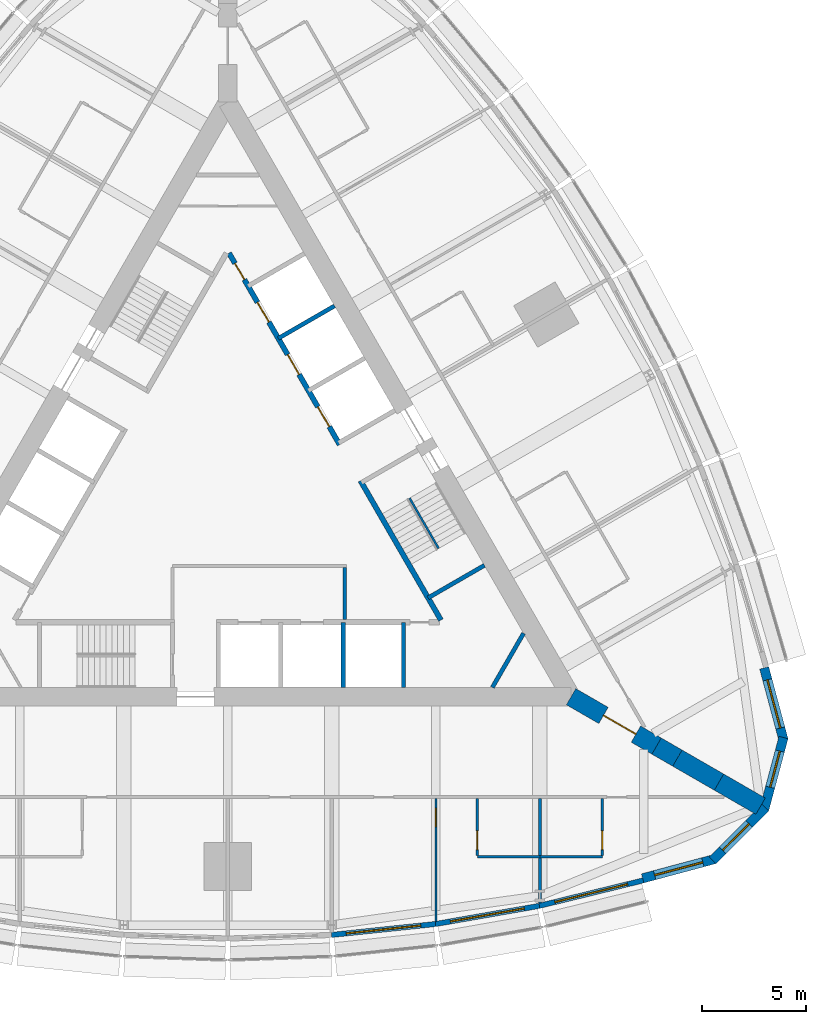
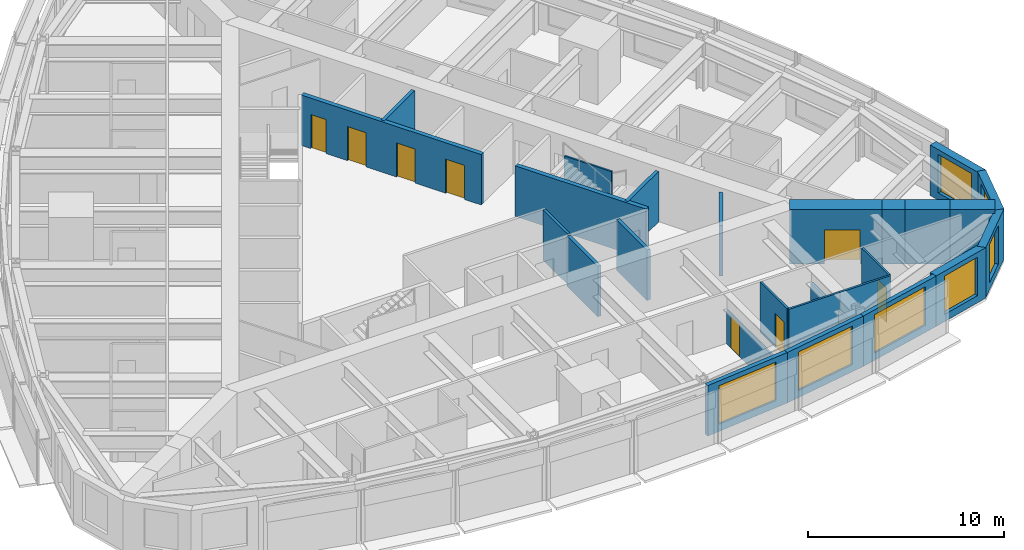
# One storey, part 11 of 15: 26 walls, 8 doors, 7 windows, 15 openings.
"""IFC4 building model written with IfcOpenShell, lengths in metres."""

import ifcopenshell
import ifcopenshell.guid

model = None  # the IFC model being written
_history = None  # IfcOwnerHistory: only IFC2X3 demands one
_inside = {}  # id of a spatial element -> (the spatial element, [elements in it])
_under = {}  # id of a project, library or spatial element -> (it, [spatial elements below it])
_declared = {}  # id of a project -> (the project, [libraries it declares])
_typed = {}  # id of a type object -> (the type object, [elements of that type])
_made_of = {}  # id of a material, layer set ... -> (it, [elements and type objects made of it])


def new_model(schema):
    """Start an empty IFC model of exactly this schema.

    Asked for "IFC4X3", IfcOpenShell would pick the latest addendum, in which some entities
    have other attributes; the version numbers below select the first issue.
    IFC2X3 requires an IfcOwnerHistory on every rooted entity: one is made here for all.
    """
    global model, _history
    if schema == "IFC4X3":
        model = ifcopenshell.file(schema_version=(4, 3, 0, 0))
    else:
        model = ifcopenshell.file(schema=schema)
    _inside.clear()
    _under.clear()
    _declared.clear()
    _typed.clear()
    _made_of.clear()
    _history = None
    if model.schema == "IFC2X3":
        org = make("IfcOrganization", Name="unknown")
        user = make(
            "IfcPersonAndOrganization",
            ThePerson=make("IfcPerson", FamilyName="unknown"),
            TheOrganization=org,
        )
        app = make(
            "IfcApplication",
            ApplicationDeveloper=org,
            Version="unknown",
            ApplicationFullName="unknown",
            ApplicationIdentifier="unknown",
        )
        _history = make(
            "IfcOwnerHistory",
            OwningUser=user,
            OwningApplication=app,
            ChangeAction="ADDED",
            CreationDate=0,
        )
    return model


def make(cls, **values):
    """One entity of the class cls with the attributes given. An attribute that is None is left unset."""
    return model.create_entity(
        cls, **{name: value for name, value in values.items() if value is not None}
    )


def rooted(cls, **values):
    """An entity with a GlobalId (a new one), such as an element, a storey or a relation."""
    return make(cls, GlobalId=ifcopenshell.guid.new(), OwnerHistory=_history, **values)


def si_unit(unit_type, name, prefix=None):
    """IfcSIUnit, for example si_unit("LENGTHUNIT", "METRE", prefix="MILLI")."""
    return make("IfcSIUnit", UnitType=unit_type, Prefix=prefix, Name=name)


def assignment(units):
    """IfcUnitAssignment: the units of a project."""
    return None if units is None else make("IfcUnitAssignment", Units=units)


def point(xyz):
    """IfcCartesianPoint."""
    return None if xyz is None else make("IfcCartesianPoint", Coordinates=xyz)


def direction(xyz):
    """IfcDirection."""
    return None if xyz is None else make("IfcDirection", DirectionRatios=xyz)


def frame(location, z_axis=None, x_axis=None):
    """IfcAxis2Placement3D, a coordinate frame: its origin and axes. An axis left out is left unset."""
    return make(
        "IfcAxis2Placement3D",
        Location=point(location),
        Axis=direction(z_axis),
        RefDirection=direction(x_axis),
    )


def frame_2d(location, x_axis=None):
    """IfcAxis2Placement2D, a coordinate frame in the plane: its origin and x axis."""
    return make(
        "IfcAxis2Placement2D", Location=point(location), RefDirection=direction(x_axis)
    )


def origin():
    """The frame at (0, 0, 0) with its axes left unset."""
    return frame((0.0, 0.0, 0.0))


def place(relative_to, where):
    """IfcLocalPlacement: puts the frame where relative to a parent placement (None: the world)."""
    return make(
        "IfcLocalPlacement", PlacementRelTo=relative_to, RelativePlacement=where
    )


def context(
    kind, dimensions, precision=None, world=None, true_north=None, identifier=None
):
    """IfcGeometricRepresentationContext, for example the 3D "Model" context."""
    return make(
        "IfcGeometricRepresentationContext",
        ContextIdentifier=identifier,
        ContextType=kind,
        CoordinateSpaceDimension=dimensions,
        Precision=precision,
        WorldCoordinateSystem=world,
        TrueNorth=true_north,
    )


def subcontext(parent, identifier, kind, view, scale=None):
    """IfcGeometricRepresentationSubContext, for example "Body" below "Model"."""
    return make(
        "IfcGeometricRepresentationSubContext",
        ContextIdentifier=identifier,
        ContextType=kind,
        ParentContext=parent,
        TargetScale=scale,
        TargetView=view,
    )


def project(units=None, contexts=None):
    """IfcProject with its units and contexts."""
    return rooted(
        "IfcProject",
        Name="project",
        RepresentationContexts=contexts,
        UnitsInContext=assignment(units),
    )


def spatial(cls, under=None, at=None, **own):
    """A site, building, storey or space (cls), placed at a placement, below another one or the project."""
    s = rooted(cls, ObjectPlacement=at, **own)
    if under is not None:
        _under.setdefault(under.id(), (under, []))[1].append(s)
    return s


def polyline(points):
    """IfcPolyline through the points."""
    return make("IfcPolyline", Points=[point(p) for p in points])


def profile(cls, at=None, kind="AREA", **sizes):
    """A parametric profile (cls). Its sizes go by their IFC names, for example OverallWidth=200.0."""
    return make(cls, ProfileType=kind, Position=at, **sizes)


def rectangle(**sizes):
    """IfcRectangleProfileDef."""
    return profile("IfcRectangleProfileDef", **sizes)


def outline(outer, holes=None, kind="AREA"):
    """IfcArbitraryClosedProfileDef: a profile drawn as a closed curve; with holes, ...WithVoids."""
    if holes is None:
        return make("IfcArbitraryClosedProfileDef", ProfileType=kind, OuterCurve=outer)
    return make(
        "IfcArbitraryProfileDefWithVoids",
        ProfileType=kind,
        OuterCurve=outer,
        InnerCurves=holes,
    )


def extrude(swept, where, along, depth):
    """IfcExtrudedAreaSolid: the profile swept, set in the frame where, extruded along a direction by depth."""
    return make(
        "IfcExtrudedAreaSolid",
        SweptArea=swept,
        Position=where,
        ExtrudedDirection=direction(along),
        Depth=depth,
    )


def shape(context_of_items, identifier, shape_type, items):
    """IfcShapeRepresentation: the items that make up one representation, for example the "Body"."""
    return make(
        "IfcShapeRepresentation",
        ContextOfItems=context_of_items,
        RepresentationIdentifier=identifier,
        RepresentationType=shape_type,
        Items=items,
    )


def material(Name=None, Category=None):
    """IfcMaterial."""
    return make("IfcMaterial", Name=Name, Category=Category)


def layer(
    of_material, thickness, ventilated=None, Name=None, Category=None, Priority=None
):
    """IfcMaterialLayer: one layer of a wall or slab, of a material (None: an air gap)."""
    return make(
        "IfcMaterialLayer",
        Material=of_material,
        LayerThickness=thickness,
        IsVentilated=ventilated,
        Name=Name,
        Category=Category,
        Priority=Priority,
    )


def layer_set(layers, Name=None):
    """IfcMaterialLayerSet."""
    return make("IfcMaterialLayerSet", MaterialLayers=layers, LayerSetName=Name)


def made_of(thing, what):
    """Note that an element or type object is made of a material, layer set ...; save() writes the relation."""
    if what is not None:
        _made_of.setdefault(what.id(), (what, []))[1].append(thing)
    return thing


def type_object(cls, material=None, **own):
    """A type object (cls), such as IfcWallType, which elements share."""
    return made_of(rooted(cls, **own), material)


def element(
    cls,
    number,
    at=None,
    inside=None,
    cuts=None,
    type_object=None,
    material=None,
    context=None,
    identifier="Body",
    shape_type=None,
    held_by="IfcProductDefinitionShape",
    body=None,
    shapes=None,
    **own,
):
    """One element of the class cls, such as IfcWall. Its Tag is "e" and its number.

    at: its placement. inside: the storey or other place that contains it. cuts: it is an
    opening in that element (IfcRelVoidsElement). A single representation is given by context,
    identifier, shape_type and body (its items); several are given by shapes. held_by: the class
    of the entity that holds the representations. save() writes the other relations.
    """
    e = rooted(cls, Tag="e%d" % number, ObjectPlacement=at, **own)
    if body is not None:
        shapes = [shape(context, identifier, shape_type, body)]
    if shapes is not None:
        e.Representation = make(held_by, Representations=shapes)
    if inside is not None:
        _inside.setdefault(inside.id(), (inside, []))[1].append(e)
    if cuts is not None:
        rooted(
            "IfcRelVoidsElement", RelatingBuildingElement=cuts, RelatedOpeningElement=e
        )
    if type_object is not None:
        _typed.setdefault(type_object.id(), (type_object, []))[1].append(e)
    return made_of(e, material)


def fill(opening, filler):
    """IfcRelFillsElement: the door or window that sits in an opening."""
    return rooted(
        "IfcRelFillsElement",
        RelatingOpeningElement=opening,
        RelatedBuildingElement=filler,
    )


def aggregate(whole, parts):
    """IfcRelAggregates: a whole, such as a stair, and the parts it consists of."""
    return rooted("IfcRelAggregates", RelatingObject=whole, RelatedObjects=parts)


def save(model, path):
    """Write the relations noted so far, then the file.

    IfcRelAggregates (storeys below a building ...), IfcRelContainedInSpatialStructure (elements
    in a storey), IfcRelDefinesByType, IfcRelAssociatesMaterial and IfcRelDeclares: one each for
    every whole, place, type object, material and project.
    """
    for whole, parts in _under.values():
        aggregate(whole, parts)
    for where, things in _inside.values():
        rooted(
            "IfcRelContainedInSpatialStructure",
            RelatedElements=things,
            RelatingStructure=where,
        )
    for kind, things in _typed.values():
        rooted("IfcRelDefinesByType", RelatedObjects=things, RelatingType=kind)
    for what, things in _made_of.values():
        rooted("IfcRelAssociatesMaterial", RelatedObjects=things, RelatingMaterial=what)
    for by, libraries in _declared.values():
        rooted("IfcRelDeclares", RelatingContext=by, RelatedDefinitions=libraries)
    model.write(path)


model = new_model("IFC4")

# Units and contexts
model_context = context("Model", 3, precision=1e-05, world=origin(), true_north=direction((0.0, 1.0)))
body_context = subcontext(model_context, "Body", "Model", "MODEL_VIEW")
ifc_project = project(units=[si_unit("LENGTHUNIT", "METRE"), si_unit("AREAUNIT", "SQUARE_METRE"), si_unit("VOLUMEUNIT", "CUBIC_METRE"), si_unit("PLANEANGLEUNIT", "RADIAN"), si_unit("MASSUNIT", "GRAM", prefix="KILO")], contexts=[model_context])

# Site, building, storey
site_placement = place(None, origin())
site = spatial("IfcSite", under=ifc_project, at=site_placement, CompositionType="ELEMENT")
building_placement = place(site_placement, origin())
building = spatial("IfcBuilding", under=site, at=building_placement, Name="Trikona Tower", CompositionType="ELEMENT")
storey_placement = place(building_placement, frame((0.0, 0.0, 186.10009765625)))
storey = spatial("IfcBuildingStorey", under=building, at=storey_placement, Name="L50", CompositionType="ELEMENT", Elevation=186.10009765625)

# Wall
ifc_material_1 = material(Name="Metal stud and cement board", Category="gypsum")
ifc_layer_1 = layer(ifc_material_1, 0.1201171875)
ifc_layer_set_1 = layer_set([ifc_layer_1], Name="Bathroom wall 120")
wall_type_1 = type_object("IfcWallType", Name="Bathroom wall 120", PredefinedType="PLUMBINGWALL", material=ifc_layer_set_1)
wall_1_placement = place(storey_placement, frame((12.0, -17.226318359375, 0.0), z_axis=(0.0, 0.0, 1.0), x_axis=(1.0, 0.0, 0.0)))
element("IfcWall", 1, at=wall_1_placement, inside=storey, type_object=wall_type_1, Name="Bathroom wall 5003.1", PredefinedType="PLUMBINGWALL", context=body_context, shape_type="SweptSolid", body=[
    extrude(rectangle(XDim=3.0, YDim=0.1201171875, at=frame_2d((1.5, 0.0))), origin(), (0.0, 0.0, 1.0), 3.14990234375),
])

# Wall, opening, door
wall_2_placement = place(storey_placement, frame((12.0, -14.42626953125, 0.0), z_axis=(0.0, 0.0, 1.0), x_axis=(0.0, -1.0, 0.0)))
wall_2 = element("IfcWall", 2, at=wall_2_placement, inside=storey, type_object=wall_type_1, Name="Bathroom wall 5003.1", PredefinedType="PLUMBINGWALL", context=body_context, shape_type="SweptSolid", body=[
    extrude(rectangle(XDim=2.739990234375, YDim=0.1201171875, at=frame_2d((1.3701171875, 0.0))), origin(), (0.0, 0.0, 1.0), 3.14990234375),
])
opening_1_placement = place(wall_2_placement, frame((1.550048828125, 0.0, 0.0)))
opening_1 = element("IfcOpeningElement", 3, at=opening_1_placement, cuts=wall_2, Name="Opening D2", PredefinedType="OPENING", context=body_context, shape_type="SweptSolid", body=[
    extrude(rectangle(XDim=0.89990234375, YDim=2.1298828125, at=frame_2d((0.449951171875, 1.06494140625))), frame((0.0, 0.070068359375, 0.0), z_axis=(0.0, -1.0, 0.0), x_axis=(1.0, 0.0, 0.0)), (0.0, 0.0, 1.0), 0.14013671875),
])
ifc_material_2 = material(Name="Steel door frame with solid-core timber leaf", Category="steel")
door_type_1 = type_object("IfcDoorType", Name="Bathroom door 900x2130", OperationType="SLIDING_TO_LEFT", PredefinedType="DOOR", material=ifc_material_2)
door_1_placement = place(opening_1_placement, origin())
door_1 = element("IfcDoor", 4, at=door_1_placement, inside=storey, type_object=door_type_1, Name="Bathroom door 5003.1", OperationType="SLIDING_TO_LEFT", OverallHeight=2.1298828125, OverallWidth=0.89990234375, PredefinedType="DOOR", context=body_context, shape_type="SweptSolid", body=[
    extrude(rectangle(XDim=0.89990234375, YDim=2.1298828125, at=frame_2d((0.449951171875, 1.06494140625))), frame((0.0, 0.02490234375, 0.0), z_axis=(0.0, -1.0, 0.0), x_axis=(1.0, 0.0, 0.0)), (0.0, 0.0, 1.0), 0.050048828125),
])
fill(opening_1, door_1)

# Wall
wall_3_placement = place(storey_placement, frame((15.0, -17.226318359375, 0.0), z_axis=(0.0, 0.0, 1.0), x_axis=(1.0, 0.0, 0.0)))
element("IfcWall", 5, at=wall_3_placement, inside=storey, type_object=wall_type_1, Name="Bathroom wall 5004", PredefinedType="PLUMBINGWALL", context=body_context, shape_type="SweptSolid", body=[
    extrude(rectangle(XDim=3.0, YDim=0.1201171875, at=frame_2d((1.5, 0.0))), origin(), (0.0, 0.0, 1.0), 3.14990234375),
])

# Wall, opening, door
wall_4_placement = place(storey_placement, frame((18.0, -14.42626953125, 0.0), z_axis=(0.0, 0.0, 1.0), x_axis=(0.0, -1.0, 0.0)))
wall_4 = element("IfcWall", 6, at=wall_4_placement, inside=storey, type_object=wall_type_1, Name="Bathroom wall 5004", PredefinedType="PLUMBINGWALL", context=body_context, shape_type="SweptSolid", body=[
    extrude(rectangle(XDim=2.739990234375, YDim=0.1201171875, at=frame_2d((1.3701171875, 0.0))), origin(), (0.0, 0.0, 1.0), 3.14990234375),
])
opening_2_placement = place(wall_4_placement, frame((1.550048828125, 0.0, 0.0)))
opening_2 = element("IfcOpeningElement", 7, at=opening_2_placement, cuts=wall_4, Name="Opening D2", PredefinedType="OPENING", context=body_context, shape_type="SweptSolid", body=[
    extrude(rectangle(XDim=0.89990234375, YDim=2.1298828125, at=frame_2d((0.449951171875, 1.06494140625))), frame((0.0, 0.070068359375, 0.0), z_axis=(0.0, -1.0, 0.0), x_axis=(1.0, 0.0, 0.0)), (0.0, 0.0, 1.0), 0.14013671875),
])
door_2_placement = place(opening_2_placement, origin())
door_2 = element("IfcDoor", 8, at=door_2_placement, inside=storey, type_object=door_type_1, Name="Bathroom door 5004", OperationType="SLIDING_TO_LEFT", OverallHeight=2.1298828125, OverallWidth=0.89990234375, PredefinedType="DOOR", context=body_context, shape_type="SweptSolid", body=[
    extrude(rectangle(XDim=0.89990234375, YDim=2.1298828125, at=frame_2d((0.449951171875, 1.06494140625))), frame((0.0, 0.02490234375, 0.0), z_axis=(0.0, -1.0, 0.0), x_axis=(1.0, 0.0, 0.0)), (0.0, 0.0, 1.0), 0.050048828125),
])
fill(opening_2, door_2)

# Wall, opening, window
ifc_material_3 = material(Name="Brick-faced precast concrete", Category="masonry")
ifc_layer_2 = layer(ifc_material_3, 0.449951171875)
ifc_layer_set_2 = layer_set([ifc_layer_2], Name="Brick-faced corner wall 450")
wall_type_2 = type_object("IfcWallType", Name="Brick-faced corner wall 450", PredefinedType="SOLIDWALL", material=ifc_layer_set_2)
wall_5_placement = place(storey_placement, frame((19.94189453125, -18.2578125, 0.0), z_axis=(0.0, 0.0, 1.0), x_axis=(0.965924653531, 0.258823421857, 0.0)))
wall_5 = element("IfcWall", 9, at=wall_5_placement, inside=storey, type_object=wall_type_2, Name="External wall L50-08", PredefinedType="SOLIDWALL", context=body_context, shape_type="SweptSolid", body=[
    extrude(rectangle(XDim=3.58642578125, YDim=0.449951171875, at=frame_2d((1.793212890625, 0.0))), origin(), (0.0, 0.0, 1.0), 3.14990234375),
])
opening_3_placement = place(wall_5_placement, frame((0.593017578125, 0.0, 0.449951171875)))
opening_3 = element("IfcOpeningElement", 10, at=opening_3_placement, cuts=wall_5, Name="Opening W2424", PredefinedType="OPENING", context=body_context, shape_type="SweptSolid", body=[
    extrude(rectangle(XDim=2.39990234375, YDim=2.39990234375, at=frame_2d((1.199951171875, 1.199951171875))), frame((0.0, 0.23486328125, 0.0), z_axis=(0.0, -1.0, 0.0), x_axis=(1.0, 0.0, 0.0)), (0.0, 0.0, 1.0), 0.469970703125),
])
ifc_material_4 = material(Name="Aluminium-framed double glazing", Category="aluminium")
window_type_1 = type_object("IfcWindowType", Name="Window 2400x2400", PartitioningType="SINGLE_PANEL", PredefinedType="WINDOW", material=ifc_material_4)
window_1_placement = place(opening_3_placement, origin())
window_1 = element("IfcWindow", 11, at=window_1_placement, inside=storey, type_object=window_type_1, Name="Window 5004", OverallHeight=2.39990234375, OverallWidth=2.39990234375, PartitioningType="SINGLE_PANEL", PredefinedType="WINDOW", context=body_context, shape_type="SweptSolid", body=[
    extrude(rectangle(XDim=2.39990234375, YDim=2.39990234375, at=frame_2d((1.199951171875, 1.199951171875))), frame((0.0, 0.030029296875, 0.0), z_axis=(0.0, -1.0, 0.0), x_axis=(1.0, 0.0, 0.0)), (0.0, 0.0, 1.0), 0.06005859375),
])
fill(opening_3, window_1)

wall_6_placement = place(storey_placement, frame((23.304931640625, -17.387939453125, 0.0), z_axis=(0.0, 0.0, 1.0), x_axis=(0.707106781187, 0.707106781187, 0.0)))
wall_6 = element("IfcWall", 12, at=wall_6_placement, inside=storey, type_object=wall_type_2, Name="External wall L50-09", PredefinedType="SOLIDWALL", context=body_context, shape_type="SweptSolid", body=[
    extrude(outline(polyline([(3.586181640625, 0.22509765625), (3.527099609375, 0.22509765625), (3.03515625, 0.09326171875), (3.0, 0.22509765625), (0.0, 0.22509765625), (0.0, -0.22509765625), (3.586181640625, -0.22509765625), (3.586181640625, 0.22509765625)])), origin(), (0.0, 0.0, 1.0), 3.14990234375),
])
opening_4_placement = place(wall_6_placement, frame((0.6748046875, 0.0, 0.449951171875)))
opening_4 = element("IfcOpeningElement", 13, at=opening_4_placement, cuts=wall_6, Name="Opening W1824", PredefinedType="OPENING", context=body_context, shape_type="SweptSolid", body=[
    extrude(rectangle(XDim=1.800048828125, YDim=2.39990234375, at=frame_2d((0.89990234375, 1.199951171875))), frame((0.0, 0.23486328125, 0.0), z_axis=(0.0, -1.0, 0.0), x_axis=(1.0, 0.0, 0.0)), (0.0, 0.0, 1.0), 0.469970703125),
])
ifc_material_5 = material(Name="Aluminium-framed double glazing", Category="aluminium")
window_type_2 = type_object("IfcWindowType", Name="Window 1800x2400", PartitioningType="SINGLE_PANEL", PredefinedType="WINDOW", material=ifc_material_5)
window_2_placement = place(opening_4_placement, origin())
window_2 = element("IfcWindow", 14, at=window_2_placement, inside=storey, type_object=window_type_2, Name="Window 5004", OverallHeight=2.39990234375, OverallWidth=1.800048828125, PartitioningType="SINGLE_PANEL", PredefinedType="WINDOW", context=body_context, shape_type="SweptSolid", body=[
    extrude(rectangle(XDim=1.800048828125, YDim=2.39990234375, at=frame_2d((0.89990234375, 1.199951171875))), frame((0.0, 0.030029296875, 0.0), z_axis=(0.0, -1.0, 0.0), x_axis=(1.0, 0.0, 0.0)), (0.0, 0.0, 1.0), 0.06005859375),
])
fill(opening_4, window_2)

wall_7_placement = place(storey_placement, frame((25.78271484375, -14.952880859375, 0.0), z_axis=(0.0, 0.0, 1.0), x_axis=(0.258823421857, 0.965924653531, 0.0)))
wall_7 = element("IfcWall", 15, at=wall_7_placement, inside=storey, type_object=wall_type_2, Name="External wall L50-10", PredefinedType="SOLIDWALL", context=body_context, shape_type="SweptSolid", body=[
    extrude(outline(polyline([(3.58642578125, 0.22509765625), (0.58642578125, 0.22509765625), (0.551025390625, 0.09326171875), (0.0595703125, 0.22509765625), (0.0, 0.22509765625), (0.0, -0.22509765625), (3.58642578125, -0.22509765625), (3.58642578125, 0.22509765625)])), origin(), (0.0, 0.0, 1.0), 3.14990234375),
])
opening_5_placement = place(wall_7_placement, frame((1.111328125, 0.0, 0.449951171875)))
opening_5 = element("IfcOpeningElement", 16, at=opening_5_placement, cuts=wall_7, Name="Opening W1824", PredefinedType="OPENING", context=body_context, shape_type="SweptSolid", body=[
    extrude(rectangle(XDim=1.800048828125, YDim=2.39990234375, at=frame_2d((0.89990234375, 1.199951171875))), frame((0.0, 0.23486328125, 0.0), z_axis=(0.0, -1.0, 0.0), x_axis=(1.0, 0.0, 0.0)), (0.0, 0.0, 1.0), 0.469970703125),
])
window_3_placement = place(opening_5_placement, origin())
window_3 = element("IfcWindow", 17, at=window_3_placement, inside=storey, type_object=window_type_2, Name="Window 5005", OverallHeight=2.39990234375, OverallWidth=1.800048828125, PartitioningType="SINGLE_PANEL", PredefinedType="WINDOW", context=body_context, shape_type="SweptSolid", body=[
    extrude(rectangle(XDim=1.800048828125, YDim=2.39990234375, at=frame_2d((0.89990234375, 1.199951171875))), frame((0.0, 0.030029296875, 0.0), z_axis=(0.0, -1.0, 0.0), x_axis=(1.0, 0.0, 0.0)), (0.0, 0.0, 1.0), 0.06005859375),
])
fill(opening_5, window_3)

wall_8_placement = place(storey_placement, frame((26.7109375, -11.605224609375, 0.0), z_axis=(0.0, 0.0, 1.0), x_axis=(-0.258823421857, 0.965924653531, 0.0)))
wall_8 = element("IfcWall", 18, at=wall_8_placement, inside=storey, type_object=wall_type_2, Name="External wall L50-11", PredefinedType="SOLIDWALL", context=body_context, shape_type="SweptSolid", body=[
    extrude(rectangle(XDim=3.58642578125, YDim=0.449951171875, at=frame_2d((1.793212890625, 0.0))), origin(), (0.0, 0.0, 1.0), 3.14990234375),
])
opening_6_placement = place(wall_8_placement, frame((0.593017578125, 0.0, 0.449951171875)))
opening_6 = element("IfcOpeningElement", 19, at=opening_6_placement, cuts=wall_8, Name="Opening W2424", PredefinedType="OPENING", context=body_context, shape_type="SweptSolid", body=[
    extrude(rectangle(XDim=2.39990234375, YDim=2.39990234375, at=frame_2d((1.199951171875, 1.199951171875))), frame((0.0, 0.23486328125, 0.0), z_axis=(0.0, -1.0, 0.0), x_axis=(1.0, 0.0, 0.0)), (0.0, 0.0, 1.0), 0.469970703125),
])
window_4_placement = place(opening_6_placement, origin())
window_4 = element("IfcWindow", 20, at=window_4_placement, inside=storey, type_object=window_type_1, Name="Window 5005", OverallHeight=2.39990234375, OverallWidth=2.39990234375, PartitioningType="SINGLE_PANEL", PredefinedType="WINDOW", context=body_context, shape_type="SweptSolid", body=[
    extrude(rectangle(XDim=2.39990234375, YDim=2.39990234375, at=frame_2d((1.199951171875, 1.199951171875))), frame((0.0, 0.030029296875, 0.0), z_axis=(0.0, -1.0, 0.0), x_axis=(1.0, 0.0, 0.0)), (0.0, 0.0, 1.0), 0.06005859375),
])
fill(opening_6, window_4)

# Wall, opening, door
ifc_material_6 = material(Name="Concrete f'c 10000 psi", Category="concrete")
ifc_layer_3 = layer(ifc_material_6, 0.89990234375)
ifc_layer_set_3 = layer_set([ifc_layer_3], Name="Buttress wall 900")
wall_type_3 = type_object("IfcWallType", Name="Buttress wall 900", PredefinedType="SHEAR", material=ifc_layer_set_3)
wall_9_placement = place(storey_placement, frame((16.5, -9.5263671875, 0.0), z_axis=(0.0, 0.0, 1.0), x_axis=(0.866031398331, -0.499989616998, 0.0)))
wall_9 = element("IfcWall", 21, at=wall_9_placement, inside=storey, type_object=wall_type_3, Name="Buttress wall 1", PredefinedType="SHEAR", context=body_context, shape_type="SweptSolid", body=[
    extrude(rectangle(XDim=4.74609375, YDim=0.89990234375, at=frame_2d((2.373046875, 0.0))), origin(), (0.0, 0.0, 1.0), 3.39990234375),
])
opening_7_placement = place(wall_9_placement, frame((1.800048828125, 0.0, 0.0)))
opening_7 = element("IfcOpeningElement", 22, at=opening_7_placement, cuts=wall_9, Name="Opening D10", PredefinedType="OPENING", context=body_context, shape_type="SweptSolid", body=[
    extrude(rectangle(XDim=1.800048828125, YDim=2.1298828125, at=frame_2d((0.89990234375, 1.06494140625))), frame((0.0, 0.4599609375, 0.0), z_axis=(0.0, -1.0, 0.0), x_axis=(1.0, 0.0, 0.0)), (0.0, 0.0, 1.0), 0.919921875),
])
ifc_material_7 = material(Name="Hollow metal door and frame", Category="steel")
door_type_2 = type_object("IfcDoorType", Name="Cross-corridor door pair 1800x2130", OperationType="DOUBLE_DOOR_DOUBLE_SWING", PredefinedType="DOOR", material=ifc_material_7)
door_3_placement = place(opening_7_placement, origin())
door_3 = element("IfcDoor", 23, at=door_3_placement, inside=storey, type_object=door_type_2, Name="Cross-corridor door 1", OperationType="DOUBLE_DOOR_DOUBLE_SWING", OverallHeight=2.1298828125, OverallWidth=1.800048828125, PredefinedType="DOOR", context=body_context, shape_type="SweptSolid", body=[
    extrude(rectangle(XDim=1.800048828125, YDim=2.1298828125, at=frame_2d((0.89990234375, 1.06494140625))), frame((0.0, 0.02490234375, 0.0), z_axis=(0.0, -1.0, 0.0), x_axis=(1.0, 0.0, 0.0)), (0.0, 0.0, 1.0), 0.050048828125),
])
fill(opening_7, door_3)

# Walls
wall_10_placement = place(storey_placement, frame((20.6103515625, -11.8994140625, 0.0), z_axis=(0.0, 0.0, 1.0), x_axis=(0.866009537788, -0.500027479704, 0.0)))
element("IfcWall", 24, at=wall_10_placement, inside=storey, type_object=wall_type_3, Name="Buttress wall 1 part 2", PredefinedType="SHEAR", context=body_context, shape_type="SweptSolid", body=[
    extrude(rectangle(XDim=1.15478515625, YDim=0.89990234375, at=frame_2d((0.577392578125, 0.0))), origin(), (0.0, 0.0, 1.0), 3.39990234375),
])
for number, where, z_axis, x_axis, name in (
    (25, (21.6103515625, -12.476806640625, 0.0), (0.0, 0.0, 1.0), (0.866055313784, -0.499948190782, 0.0), "Buttress wall 1 part 3"),
    (26, (23.6103515625, -13.63134765625, 0.0), (0.0, 0.0, 1.0), (0.866009537788, -0.500027479704, 0.0), "Buttress wall 1 part 4"),
):
    element("IfcWall", number, at=place(storey_placement, frame(where, z_axis=z_axis, x_axis=x_axis)), inside=storey, type_object=wall_type_3, Name=name, PredefinedType="SHEAR", context=body_context, shape_type="SweptSolid", body=[
        extrude(rectangle(XDim=2.309326171875, YDim=0.89990234375, at=frame_2d((1.15478515625, 0.0))), origin(), (0.0, 0.0, 1.0), 3.39990234375),
    ])
ifc_material_8 = material(Name="Concrete f'c 8000 psi", Category="concrete")
ifc_layer_4 = layer(ifc_material_8, 0.25)
ifc_layer_set_4 = layer_set([ifc_layer_4], Name="Hub wall 250")
wall_type_4 = type_object("IfcWallType", Name="Hub wall 250", PredefinedType="SOLIDWALL", material=ifc_layer_set_4)
wall_11_placement = place(storey_placement, frame((10.245361328125, -5.843017578125, 0.0), z_axis=(0.0, 0.0, 1.0), x_axis=(-0.499993009313, 0.866029439822, 0.0)))
element("IfcWall", 27, at=wall_11_placement, inside=storey, type_object=wall_type_4, Name="Lift lobby wall B1", PredefinedType="SOLIDWALL", context=body_context, shape_type="SweptSolid", body=[
    extrude(rectangle(XDim=7.73291015625, YDim=0.25, at=frame_2d((3.866455078125, 0.0))), origin(), (0.0, 0.0, 1.0), 3.14990234375),
])

# Wall, openings, doors
wall_12_placement = place(storey_placement, frame((5.37890625, 2.5859375, 0.0), z_axis=(0.0, 0.0, 1.0), x_axis=(-0.500001375892, 0.866024609411, 0.0)))
wall_12 = element("IfcWall", 28, at=wall_12_placement, inside=storey, type_object=wall_type_4, Name="Lift lobby wall B2", PredefinedType="SOLIDWALL", context=body_context, shape_type="SweptSolid", body=[
    extrude(rectangle(XDim=10.6328125, YDim=0.25, at=frame_2d((5.31640625, 0.0))), origin(), (0.0, 0.0, 1.0), 3.14990234375),
])
opening_8_placement = place(wall_12_placement, frame((9.1640625, 0.0, 0.0)))
opening_8 = element("IfcOpeningElement", 29, at=opening_8_placement, cuts=wall_12, Name="Opening D14", PredefinedType="OPENING", context=body_context, shape_type="SweptSolid", body=[
    extrude(rectangle(XDim=0.89990234375, YDim=2.1298828125, at=frame_2d((0.449951171875, 1.06494140625))), frame((0.0, 0.135009765625, 0.0), z_axis=(0.0, -1.0, 0.0), x_axis=(1.0, 0.0, 0.0)), (0.0, 0.0, 1.0), 0.27001953125),
])
opening_9_placement = place(wall_12_placement, frame((1.0, 0.0, 0.0)))
opening_9 = element("IfcOpeningElement", 30, at=opening_9_placement, cuts=wall_12, Name="Opening LD", PredefinedType="OPENING", context=body_context, shape_type="SweptSolid", body=[
    extrude(rectangle(XDim=1.10009765625, YDim=2.1298828125, at=frame_2d((0.550048828125, 1.06494140625))), frame((0.0, 0.135009765625, 0.0), z_axis=(0.0, -1.0, 0.0), x_axis=(1.0, 0.0, 0.0)), (0.0, 0.0, 1.0), 0.27001953125),
])
opening_10_placement = place(wall_12_placement, frame((3.89990234375, 0.0, 0.0)))
opening_10 = element("IfcOpeningElement", 31, at=opening_10_placement, cuts=wall_12, Name="Opening LD", PredefinedType="OPENING", context=body_context, shape_type="SweptSolid", body=[
    extrude(rectangle(XDim=1.10009765625, YDim=2.1298828125, at=frame_2d((0.550048828125, 1.06494140625))), frame((0.0, 0.135009765625, 0.0), z_axis=(0.0, -1.0, 0.0), x_axis=(1.0, 0.0, 0.0)), (0.0, 0.0, 1.0), 0.27001953125),
])
opening_11_placement = place(wall_12_placement, frame((6.800048828125, 0.0, 0.0)))
opening_11 = element("IfcOpeningElement", 32, at=opening_11_placement, cuts=wall_12, Name="Opening LD", PredefinedType="OPENING", context=body_context, shape_type="SweptSolid", body=[
    extrude(rectangle(XDim=1.10009765625, YDim=2.1298828125, at=frame_2d((0.550048828125, 1.06494140625))), frame((0.0, 0.135009765625, 0.0), z_axis=(0.0, -1.0, 0.0), x_axis=(1.0, 0.0, 0.0)), (0.0, 0.0, 1.0), 0.27001953125),
])
ifc_material_9 = material(Name="Stainless steel lift landing door", Category="steel")
door_type_3 = type_object("IfcDoorType", Name="Lift landing door 1100x2130", OperationType="DOUBLE_DOOR_SLIDING", PredefinedType="USERDEFINED", material=ifc_material_9)
door_4_placement = place(opening_9_placement, origin())
door_4 = element("IfcDoor", 33, at=door_4_placement, inside=storey, type_object=door_type_3, Name="Lift landing door L2-1", ObjectType="LIFT LANDING DOOR", OperationType="DOUBLE_DOOR_SLIDING", OverallHeight=2.1298828125, OverallWidth=1.10009765625, PredefinedType="USERDEFINED", context=body_context, shape_type="SweptSolid", body=[
    extrude(rectangle(XDim=1.10009765625, YDim=2.1298828125, at=frame_2d((0.550048828125, 1.06494140625))), frame((0.0, 0.02490234375, 0.0), z_axis=(0.0, -1.0, 0.0), x_axis=(1.0, 0.0, 0.0)), (0.0, 0.0, 1.0), 0.050048828125),
])
fill(opening_9, door_4)
door_5_placement = place(opening_10_placement, origin())
door_5 = element("IfcDoor", 34, at=door_5_placement, inside=storey, type_object=door_type_3, Name="Lift landing door L2-2", ObjectType="LIFT LANDING DOOR", OperationType="DOUBLE_DOOR_SLIDING", OverallHeight=2.1298828125, OverallWidth=1.10009765625, PredefinedType="USERDEFINED", context=body_context, shape_type="SweptSolid", body=[
    extrude(rectangle(XDim=1.10009765625, YDim=2.1298828125, at=frame_2d((0.550048828125, 1.06494140625))), frame((0.0, 0.02490234375, 0.0), z_axis=(0.0, -1.0, 0.0), x_axis=(1.0, 0.0, 0.0)), (0.0, 0.0, 1.0), 0.050048828125),
])
fill(opening_10, door_5)
door_6_placement = place(opening_11_placement, origin())
door_6 = element("IfcDoor", 35, at=door_6_placement, inside=storey, type_object=door_type_3, Name="Lift landing door L2-3", ObjectType="LIFT LANDING DOOR", OperationType="DOUBLE_DOOR_SLIDING", OverallHeight=2.1298828125, OverallWidth=1.10009765625, PredefinedType="USERDEFINED", context=body_context, shape_type="SweptSolid", body=[
    extrude(rectangle(XDim=1.10009765625, YDim=2.1298828125, at=frame_2d((0.550048828125, 1.06494140625))), frame((0.0, 0.02490234375, 0.0), z_axis=(0.0, -1.0, 0.0), x_axis=(1.0, 0.0, 0.0)), (0.0, 0.0, 1.0), 0.050048828125),
])
fill(opening_11, door_6)
ifc_material_10 = material(Name="Hollow metal door and frame", Category="steel")
door_type_4 = type_object("IfcDoorType", Name="Service room door 900x2130", OperationType="SINGLE_SWING_LEFT", PredefinedType="DOOR", material=ifc_material_10)
door_7_placement = place(opening_8_placement, origin())
door_7 = element("IfcDoor", 36, at=door_7_placement, inside=storey, type_object=door_type_4, Name="Door Ice and vending ICE", OperationType="SINGLE_SWING_RIGHT", OverallHeight=2.1298828125, OverallWidth=0.89990234375, PredefinedType="DOOR", context=body_context, shape_type="SweptSolid", body=[
    extrude(rectangle(XDim=0.89990234375, YDim=2.1298828125, at=frame_2d((0.449951171875, 1.06494140625))), frame((0.0, 0.02490234375, 0.0), z_axis=(0.0, -1.0, 0.0), x_axis=(1.0, 0.0, 0.0)), (0.0, 0.0, 1.0), 0.050048828125),
])
fill(opening_8, door_7)

# Wall, opening, window
ifc_material_11 = material(Name="Insulated precast concrete spandrel panel", Category="concrete")
ifc_layer_5 = layer(ifc_material_11, 0.25)
ifc_layer_set_5 = layer_set([ifc_layer_5], Name="Inner skin wall 250")
wall_type_5 = type_object("IfcWallType", Name="Inner skin wall 250", PredefinedType="STANDARD", material=ifc_layer_set_5)
wall_13_placement = place(storey_placement, frame((4.98681640625, -20.975830078125, 0.0), z_axis=(0.0, 0.0, 1.0), x_axis=(0.994534683851, 0.104406717299, 0.0)))
wall_13 = element("IfcWall", 37, at=wall_13_placement, inside=storey, type_object=wall_type_5, Name="External wall L50-05", PredefinedType="STANDARD", context=body_context, shape_type="SweptSolid", body=[
    extrude(rectangle(XDim=5.027587890625, YDim=0.25, at=frame_2d((2.513671875, 0.0))), origin(), (0.0, 0.0, 1.0), 3.14990234375),
])
opening_12_placement = place(wall_13_placement, frame((0.713623046875, 0.0, 0.449951171875)))
opening_12 = element("IfcOpeningElement", 38, at=opening_12_placement, cuts=wall_13, Name="Opening W3624", PredefinedType="OPENING", context=body_context, shape_type="SweptSolid", body=[
    extrude(rectangle(XDim=3.60009765625, YDim=2.39990234375, at=frame_2d((1.800048828125, 1.199951171875))), frame((0.0, 0.135009765625, 0.0), z_axis=(0.0, -1.0, 0.0), x_axis=(1.0, 0.0, 0.0)), (0.0, 0.0, 1.0), 0.27001953125),
])
ifc_material_12 = material(Name="Aluminium-framed double glazing", Category="aluminium")
window_type_3 = type_object("IfcWindowType", Name="Window 3600x2400", PartitioningType="SINGLE_PANEL", PredefinedType="WINDOW", material=ifc_material_12)
window_5_placement = place(opening_12_placement, origin())
window_5 = element("IfcWindow", 39, at=window_5_placement, inside=storey, type_object=window_type_3, Name="Window 5003", OverallHeight=2.39990234375, OverallWidth=3.60009765625, PartitioningType="SINGLE_PANEL", PredefinedType="WINDOW", context=body_context, shape_type="SweptSolid", body=[
    extrude(rectangle(XDim=3.60009765625, YDim=2.39990234375, at=frame_2d((1.800048828125, 1.199951171875))), frame((0.0, 0.030029296875, 0.0), z_axis=(0.0, -1.0, 0.0), x_axis=(1.0, 0.0, 0.0)), (0.0, 0.0, 1.0), 0.06005859375),
])
fill(opening_12, window_5)

wall_14_placement = place(storey_placement, frame((9.978515625, -20.4521484375, 0.0), z_axis=(0.0, 0.0, 1.0), x_axis=(0.985030467156, 0.172380331752, 0.0)))
wall_14 = element("IfcWall", 40, at=wall_14_placement, inside=storey, type_object=wall_type_5, Name="External wall L50-06", PredefinedType="STANDARD", context=body_context, shape_type="SweptSolid", body=[
    extrude(rectangle(XDim=5.075927734375, YDim=0.25, at=frame_2d((2.5380859375, 0.0))), origin(), (0.0, 0.0, 1.0), 3.14990234375),
])
opening_13_placement = place(wall_14_placement, frame((0.738037109375, 0.0, 0.449951171875)))
opening_13 = element("IfcOpeningElement", 41, at=opening_13_placement, cuts=wall_14, Name="Opening W3624", PredefinedType="OPENING", context=body_context, shape_type="SweptSolid", body=[
    extrude(rectangle(XDim=3.60009765625, YDim=2.39990234375, at=frame_2d((1.800048828125, 1.199951171875))), frame((0.0, 0.135009765625, 0.0), z_axis=(0.0, -1.0, 0.0), x_axis=(1.0, 0.0, 0.0)), (0.0, 0.0, 1.0), 0.27001953125),
])
window_6_placement = place(opening_13_placement, origin())
window_6 = element("IfcWindow", 42, at=window_6_placement, inside=storey, type_object=window_type_3, Name="Window 5003.1", OverallHeight=2.39990234375, OverallWidth=3.60009765625, PartitioningType="SINGLE_PANEL", PredefinedType="WINDOW", context=body_context, shape_type="SweptSolid", body=[
    extrude(rectangle(XDim=3.60009765625, YDim=2.39990234375, at=frame_2d((1.800048828125, 1.199951171875))), frame((0.0, 0.030029296875, 0.0), z_axis=(0.0, -1.0, 0.0), x_axis=(1.0, 0.0, 0.0)), (0.0, 0.0, 1.0), 0.06005859375),
])
fill(opening_13, window_6)

wall_15_placement = place(storey_placement, frame((14.97021484375, -19.578857421875, 0.0), z_axis=(0.0, 0.0, 1.0), x_axis=(0.971270024053, 0.237980126011, 0.0)))
wall_15 = element("IfcWall", 43, at=wall_15_placement, inside=storey, type_object=wall_type_5, Name="External wall L50-07", PredefinedType="STANDARD", context=body_context, shape_type="SweptSolid", body=[
    extrude(rectangle(XDim=5.14794921875, YDim=0.25, at=frame_2d((2.573974609375, 0.0))), origin(), (0.0, 0.0, 1.0), 3.14990234375),
])
opening_14_placement = place(wall_15_placement, frame((0.77392578125, 0.0, 0.449951171875)))
opening_14 = element("IfcOpeningElement", 44, at=opening_14_placement, cuts=wall_15, Name="Opening W3624", PredefinedType="OPENING", context=body_context, shape_type="SweptSolid", body=[
    extrude(rectangle(XDim=3.60009765625, YDim=2.39990234375, at=frame_2d((1.800048828125, 1.199951171875))), frame((0.0, 0.135009765625, 0.0), z_axis=(0.0, -1.0, 0.0), x_axis=(1.0, 0.0, 0.0)), (0.0, 0.0, 1.0), 0.27001953125),
])
window_7_placement = place(opening_14_placement, origin())
window_7 = element("IfcWindow", 45, at=window_7_placement, inside=storey, type_object=window_type_3, Name="Window 5004", OverallHeight=2.39990234375, OverallWidth=3.60009765625, PartitioningType="SINGLE_PANEL", PredefinedType="WINDOW", context=body_context, shape_type="SweptSolid", body=[
    extrude(rectangle(XDim=3.60009765625, YDim=2.39990234375, at=frame_2d((1.800048828125, 1.199951171875))), frame((0.0, 0.030029296875, 0.0), z_axis=(0.0, -1.0, 0.0), x_axis=(1.0, 0.0, 0.0)), (0.0, 0.0, 1.0), 0.06005859375),
])
fill(opening_14, window_7)

# Walls
ifc_material_13 = material(Name="Metal stud and gypsum board, 2-hour shaft wall", Category="gypsum")
ifc_layer_6 = layer(ifc_material_13, 0.14990234375)
ifc_layer_set_6 = layer_set([ifc_layer_6], Name="Lobby wall 150")
wall_type_6 = type_object("IfcWallType", Name="Lobby wall 150", PredefinedType="PARTITIONING", material=ifc_layer_set_6)
wall_16_placement = place(storey_placement, frame((5.625, -5.826416015625, 0.0), z_axis=(0.0, 0.0, 1.0), x_axis=(0.0, 1.0, 0.0)))
element("IfcWall", 46, at=wall_16_placement, inside=storey, type_object=wall_type_6, Name="Fire service lift lobby wall 3", PredefinedType="PARTITIONING", context=body_context, shape_type="SweptSolid", body=[
    extrude(rectangle(XDim=2.5, YDim=0.14990234375, at=frame_2d((1.25, 0.0))), origin(), (0.0, 0.0, 1.0), 3.14990234375),
])
ifc_material_14 = material(Name="Metal stud and gypsum board, 1-hour acoustic", Category="gypsum")
ifc_layer_7 = layer(ifc_material_14, 0.14990234375)
ifc_layer_set_7 = layer_set([ifc_layer_7], Name="Party wall 150")
wall_type_7 = type_object("IfcWallType", Name="Party wall 150", PredefinedType="PARTITIONING", material=ifc_layer_set_7)
wall_17_placement = place(storey_placement, frame((15.0, -14.42626953125, 0.0), z_axis=(0.0, 0.0, 1.0), x_axis=(0.0, -1.0, 0.0)))
element("IfcWall", 47, at=wall_17_placement, inside=storey, type_object=wall_type_7, Name="Partition L50 F1 u15", PredefinedType="PARTITIONING", context=body_context, shape_type="SweptSolid", body=[
    extrude(rectangle(XDim=5.0166015625, YDim=0.14990234375, at=frame_2d((2.50830078125, 0.0))), origin(), (0.0, 0.0, 1.0), 2.0498046875),
])
ifc_material_15 = material(Name="Concrete f'c 8000 psi", Category="concrete")
ifc_layer_8 = layer(ifc_material_15, 0.199951171875)
ifc_layer_set_8 = layer_set([ifc_layer_8], Name="Shaft wall 200")
wall_type_8 = type_object("IfcWallType", Name="Shaft wall 200", PredefinedType="SOLIDWALL", material=ifc_layer_set_8)
for number, where, z_axis, x_axis, name in (
    (48, (5.550048828125, -5.951416015625, 0.0), (0.0, 0.0, 1.0), (0.0, -1.0, 0.0), "Shaft wall A5"),
    (49, (8.449951171875, -5.951416015625, 0.0), (0.0, 0.0, 1.0), (0.0, -1.0, 0.0), "Shaft wall A6"),
    (50, (2.428955078125, 7.695556640625, 0.0), (0.0, 0.0, 1.0), (0.866022959057, 0.500004234368, 0.0), "Shaft wall B5"),
):
    element("IfcWall", number, at=place(storey_placement, frame(where, z_axis=z_axis, x_axis=x_axis)), inside=storey, type_object=wall_type_8, Name=name, PredefinedType="SOLIDWALL", context=body_context, shape_type="SweptSolid", body=[
        extrude(rectangle(XDim=3.125, YDim=0.199951171875, at=frame_2d((1.5625, 0.0))), origin(), (0.0, 0.0, 1.0), 3.14990234375),
    ])
wall_18_placement = place(storey_placement, frame((14.219482421875, -6.476318359375, 0.0), z_axis=(0.0, 0.0, 1.0), x_axis=(-0.499952404951, -0.866052881055, 0.0)))
element("IfcWall", 51, at=wall_18_placement, inside=storey, type_object=wall_type_8, Name="Riser wall L50-RS1", PredefinedType="SOLIDWALL", context=body_context, shape_type="SweptSolid", body=[
    extrude(rectangle(XDim=3.002197265625, YDim=0.199951171875, at=frame_2d((1.5009765625, 0.0))), origin(), (0.0, 0.0, 1.0), 3.14990234375),
])
ifc_material_16 = material(Name="Concrete f'c 8000 psi", Category="concrete")
ifc_layer_9 = layer(ifc_material_16, 0.199951171875)
ifc_layer_set_9 = layer_set([ifc_layer_9], Name="Shaft wall 200 load-bearing")
wall_type_9 = type_object("IfcWallType", Name="Shaft wall 200 load-bearing", PredefinedType="SOLIDWALL", material=ifc_layer_set_9)
wall_19_placement = place(storey_placement, frame((9.62890625, -4.775390625, 0.0), z_axis=(0.0, 0.0, 1.0), x_axis=(0.866022959057, 0.500004234368, 0.0)))
element("IfcWall", 52, at=wall_19_placement, inside=storey, type_object=wall_type_9, Name="Shaft wall B1", PredefinedType="SOLIDWALL", context=body_context, shape_type="SweptSolid", body=[
    extrude(rectangle(XDim=3.125, YDim=0.199951171875, at=frame_2d((1.5625, 0.0))), origin(), (0.0, 0.0, 1.0), 3.14990234375),
])
ifc_material_17 = material(Name="Concrete f'c 5000 psi", Category="concrete")
ifc_layer_10 = layer(ifc_material_17, 0.10009765625)
ifc_layer_set_10 = layer_set([ifc_layer_10], Name="Stair spine wall 100")
wall_type_10 = type_object("IfcWallType", Name="Stair spine wall 100", PredefinedType="SOLIDWALL", material=ifc_layer_set_10)
wall_20_placement = place(storey_placement, frame((10.134765625, -2.4013671875, 0.0), z_axis=(0.0, 0.0, 1.0), x_axis=(-0.499992232847, 0.866029888106, 0.0)))
element("IfcWall", 53, at=wall_20_placement, inside=storey, type_object=wall_type_10, Name="Stair B spine wall L50", PredefinedType="SOLIDWALL", context=body_context, shape_type="SweptSolid", body=[
    extrude(rectangle(XDim=2.7939453125, YDim=0.10009765625, at=frame_2d((1.39697265625, 0.0))), origin(), (0.0, 0.0, 1.0), 3.39990234375),
])

# Wall, opening, door
ifc_material_18 = material(Name="Metal stud and gypsum board, acoustic", Category="gypsum")
ifc_layer_11 = layer(ifc_material_18, 0.10009765625)
ifc_layer_set_11 = layer_set([ifc_layer_11], Name="Suite partition 100")
wall_type_11 = type_object("IfcWallType", Name="Suite partition 100", PredefinedType="PARTITIONING", material=ifc_layer_set_11)
wall_21_placement = place(storey_placement, frame((10.0, -14.42626953125, 0.0), z_axis=(0.0, 0.0, 1.0), x_axis=(0.0, -1.0, 0.0)))
wall_21 = element("IfcWall", 54, at=wall_21_placement, inside=storey, type_object=wall_type_11, Name="Suite partition L50 F1 u10", PredefinedType="PARTITIONING", context=body_context, shape_type="SweptSolid", body=[
    extrude(rectangle(XDim=5.89501953125, YDim=0.10009765625, at=frame_2d((2.947509765625, 0.0))), origin(), (0.0, 0.0, 1.0), 2.1083984375),
])
opening_15_placement = place(wall_21_placement, frame((0.449951171875, 0.0, 0.0)))
opening_15 = element("IfcOpeningElement", 55, at=opening_15_placement, cuts=wall_21, Name="Opening D16", PredefinedType="OPENING", context=body_context, shape_type="SweptSolid", body=[
    extrude(rectangle(XDim=0.89990234375, YDim=2.031982421875, at=frame_2d((0.449951171875, 1.01611328125))), frame((0.0, 0.06005859375, 0.0), z_axis=(0.0, -1.0, 0.0), x_axis=(1.0, 0.0, 0.0)), (0.0, 0.0, 1.0), 0.1201171875),
])
ifc_material_19 = material(Name="Steel door frame with solid-core timber leaf", Category="steel")
door_type_5 = type_object("IfcDoorType", Name="Suite door 900x2032", OperationType="SINGLE_SWING_LEFT", PredefinedType="DOOR", material=ifc_material_19)
door_8_placement = place(opening_15_placement, origin())
door_8 = element("IfcDoor", 56, at=door_8_placement, inside=storey, type_object=door_type_5, Name="Suite door 5003", OperationType="SINGLE_SWING_LEFT", OverallHeight=2.031982421875, OverallWidth=0.89990234375, PredefinedType="DOOR", context=body_context, shape_type="SweptSolid", body=[
    extrude(rectangle(XDim=0.89990234375, YDim=2.031982421875, at=frame_2d((0.449951171875, 1.01611328125))), frame((0.0, 0.02490234375, 0.0), z_axis=(0.0, -1.0, 0.0), x_axis=(1.0, 0.0, 0.0)), (0.0, 0.0, 1.0), 0.050048828125),
])
fill(opening_15, door_8)

save(model, "model.ifc")
